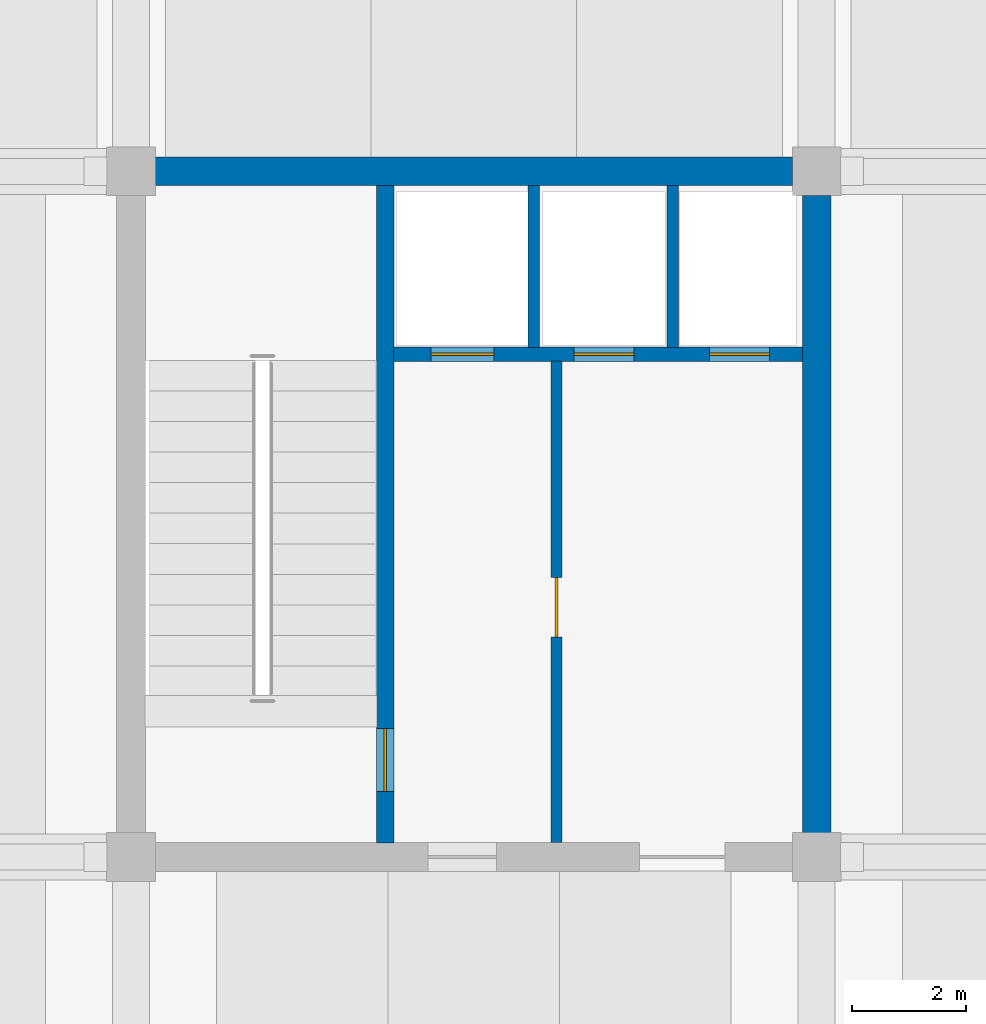
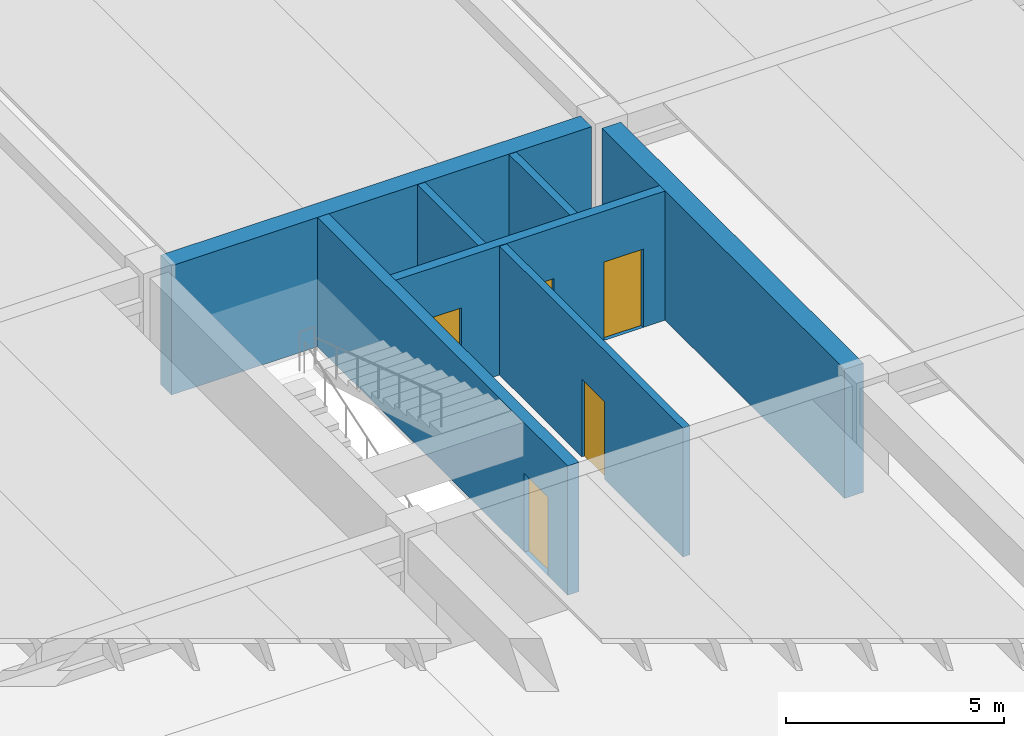
# One storey, part 8 of 14: 7 walls, 5 doors, 5 openings.
"""IFC4 building model written with IfcOpenShell, lengths in metres."""

from ifc_helpers import new_model, si_unit, direction, frame, frame_2d, origin, place, context, subcontext, project, spatial, rectangle, extrude, material, layer, layer_set, type_object, element, fill, save


model = new_model("IFC4")

# Units and contexts
model_context = context("Model", 3, precision=1e-05, world=origin(), true_north=direction((0.0, 1.0)))
body_context = subcontext(model_context, "Body", "Model", "MODEL_VIEW")
ifc_project = project(units=[si_unit("LENGTHUNIT", "METRE"), si_unit("AREAUNIT", "SQUARE_METRE"), si_unit("VOLUMEUNIT", "CUBIC_METRE"), si_unit("PLANEANGLEUNIT", "RADIAN"), si_unit("MASSUNIT", "GRAM", prefix="KILO")], contexts=[model_context])

# Site, building, storey
site_placement = place(None, origin())
site = spatial("IfcSite", under=ifc_project, at=site_placement, CompositionType="ELEMENT")
building_placement = place(site_placement, origin())
building = spatial("IfcBuilding", under=site, at=building_placement, Name="Girod Span Mobility Hub", CompositionType="ELEMENT")
storey_placement = place(building_placement, frame((0.0, 0.0, 24.800048828125)))
storey = spatial("IfcBuildingStorey", under=building, at=storey_placement, Name="L06", CompositionType="ELEMENT", Elevation=24.800048828125)

# Walls
ifc_material_1 = material(Name="Concrete C40/50", Category="concrete")
ifc_layer_1 = layer(ifc_material_1, 0.5)
ifc_layer_set_1 = layer_set([ifc_layer_1], Name="Concrete C40/50")
wall_type_1 = type_object("IfcWallType", Name="W-CW-500", PredefinedType="SHEAR", material=ifc_layer_set_1)
for number, where, z_axis, x_axis, name in (
    (1, (108.422119140625, 69.0, 0.0), (0.0, 0.0, 1.0), (1.0, 0.0, 0.0), "Core C2 Shear Wall N L06"),
    (2, (120.0, 57.422119140625, 0.0), (0.0, 0.0, 1.0), (0.0, 1.0, 0.0), "Core C2 Shear Wall E L06"),
):
    element("IfcWall", number, at=place(storey_placement, frame(where, z_axis=z_axis, x_axis=x_axis)), inside=storey, type_object=wall_type_1, Name=name, PredefinedType="SHEAR", context=body_context, shape_type="SweptSolid", body=[
        extrude(rectangle(XDim=11.15576171875, YDim=0.5, at=frame_2d((5.577880859375, 0.0))), origin(), (0.0, 0.0, 1.0), 3.6279296875),
    ])

# Wall, opening, door
ifc_material_2 = material(Name="Concrete C40/50", Category="concrete")
ifc_layer_2 = layer(ifc_material_2, 0.18994140625)
ifc_layer_set_2 = layer_set([ifc_layer_2], Name="Concrete C40/50")
wall_type_2 = type_object("IfcWallType", Name="W-FL-190", PredefinedType="SOLIDWALL", material=ifc_layer_set_2)
wall_1_placement = place(storey_placement, frame((115.449951171875, 57.25, 0.0), z_axis=(0.0, 0.0, 1.0), x_axis=(0.0, 1.0, 0.0)))
wall_1 = element("IfcWall", 3, at=wall_1_placement, inside=storey, type_object=wall_type_2, Name="Core C2 Firefighting Lobby Wall L06", PredefinedType="SOLIDWALL", context=body_context, shape_type="SweptSolid", body=[
    extrude(rectangle(XDim=8.429931640625, YDim=0.18994140625, at=frame_2d((4.21484375, 0.0))), origin(), (0.0, 0.0, 1.0), 3.617919921875),
])
opening_1_placement = place(wall_1_placement, frame((3.60009765625, 0.0, 0.0)))
opening_1 = element("IfcOpeningElement", 4, at=opening_1_placement, cuts=wall_1, Name="Opening D-FLX-C2-L06", PredefinedType="OPENING", context=body_context, shape_type="SweptSolid", body=[
    extrude(rectangle(XDim=1.0400390625, YDim=2.179931640625, at=frame_2d((0.52001953125, 1.08984375))), frame((0.0, 0.10986328125, 0.0), z_axis=(0.0, -1.0, 0.0), x_axis=(1.0, 0.0, 0.0)), (0.0, 0.0, 1.0), 0.219970703125),
])
ifc_material_3 = material(Name="Fire-Rated Insulated Hollow Metal Steel", Category="steel")
door_type_1 = type_object("IfcDoorType", Name="DT-FD-02", OperationType="NOTDEFINED", PredefinedType="DOOR", material=ifc_material_3)
door_1_placement = place(opening_1_placement, origin())
door_1 = element("IfcDoor", 5, at=door_1_placement, inside=storey, type_object=door_type_1, Name="Firefighting Lobby Interconnect Door C2 L06", OperationType="SINGLE_SWING_RIGHT", OverallHeight=2.179931640625, OverallWidth=1.0400390625, PredefinedType="DOOR", context=body_context, shape_type="SweptSolid", body=[
    extrude(rectangle(XDim=1.0400390625, YDim=2.179931640625, at=frame_2d((0.52001953125, 1.08984375))), frame((0.0, 0.02490234375, 0.0), z_axis=(0.0, -1.0, 0.0), x_axis=(1.0, 0.0, 0.0)), (0.0, 0.0, 1.0), 0.050048828125),
])
fill(opening_1, door_1)

# Walls
ifc_material_4 = material(Name="Concrete C40/50", Category="concrete")
ifc_layer_3 = layer(ifc_material_4, 0.199951171875)
ifc_layer_set_3 = layer_set([ifc_layer_3], Name="Concrete C40/50")
wall_type_3 = type_object("IfcWallType", Name="W-SH-200", PredefinedType="SOLIDWALL", material=ifc_layer_set_3)
for number, where, z_axis, x_axis, name in (
    (6, (115.050048828125, 65.919921875, 0.0), (0.0, 0.0, 1.0), (0.0, 1.0, 0.0), "Core C2 Shaft Divider 1 L06"),
    (7, (117.47998046875, 65.919921875, 0.0), (0.0, 0.0, 1.0), (0.0, 1.0, 0.0), "Core C2 Shaft Divider 2 L06"),
):
    element("IfcWall", number, at=place(storey_placement, frame(where, z_axis=z_axis, x_axis=x_axis)), inside=storey, type_object=wall_type_3, Name=name, PredefinedType="SOLIDWALL", context=body_context, shape_type="SweptSolid", body=[
        extrude(rectangle(XDim=2.830078125, YDim=0.199951171875, at=frame_2d((1.4150390625, 0.0))), origin(), (0.0, 0.0, 1.0), 3.617919921875),
    ])

# Wall, openings, doors
ifc_material_5 = material(Name="Concrete C40/50", Category="concrete")
ifc_layer_4 = layer(ifc_material_5, 0.25)
ifc_layer_set_4 = layer_set([ifc_layer_4], Name="Concrete C40/50")
wall_type_4 = type_object("IfcWallType", Name="W-SH-250", PredefinedType="SOLIDWALL", material=ifc_layer_set_4)
wall_2_placement = place(storey_placement, frame((112.596923828125, 65.800048828125, 0.0), z_axis=(0.0, 0.0, 1.0), x_axis=(1.0, 0.0, 0.0)))
wall_2 = element("IfcWall", 8, at=wall_2_placement, inside=storey, type_object=wall_type_4, Name="Core C2 Hoistway Front Wall L06", PredefinedType="SOLIDWALL", context=body_context, shape_type="SweptSolid", body=[
    extrude(rectangle(XDim=7.156005859375, YDim=0.25, at=frame_2d((3.578125, 0.0))), origin(), (0.0, 0.0, 1.0), 3.6279296875),
])
opening_2_placement = place(wall_2_placement, frame((0.653076171875, 0.0, 0.0)))
opening_2 = element("IfcOpeningElement", 9, at=opening_2_placement, cuts=wall_2, Name="Opening LD-FL-2-L06", PredefinedType="OPENING", context=body_context, shape_type="SweptSolid", body=[
    extrude(rectangle(XDim=1.10009765625, YDim=2.239990234375, at=frame_2d((0.550048828125, 1.1201171875))), frame((0.0, 0.139892578125, 0.0), z_axis=(0.0, -1.0, 0.0), x_axis=(1.0, 0.0, 0.0)), (0.0, 0.0, 1.0), 0.280029296875),
])
opening_3_placement = place(wall_2_placement, frame((3.153076171875, 0.0, 0.0)))
opening_3 = element("IfcOpeningElement", 10, at=opening_3_placement, cuts=wall_2, Name="Opening LD-LP-3-L06", PredefinedType="OPENING", context=body_context, shape_type="SweptSolid", body=[
    extrude(rectangle(XDim=1.050048828125, YDim=2.199951171875, at=frame_2d((0.52490234375, 1.10009765625))), frame((0.0, 0.139892578125, 0.0), z_axis=(0.0, -1.0, 0.0), x_axis=(1.0, 0.0, 0.0)), (0.0, 0.0, 1.0), 0.280029296875),
])
opening_4_placement = place(wall_2_placement, frame((5.528076171875, 0.0, 0.0)))
opening_4 = element("IfcOpeningElement", 11, at=opening_4_placement, cuts=wall_2, Name="Opening LD-LP-4-L06", PredefinedType="OPENING", context=body_context, shape_type="SweptSolid", body=[
    extrude(rectangle(XDim=1.050048828125, YDim=2.199951171875, at=frame_2d((0.52490234375, 1.10009765625))), frame((0.0, 0.139892578125, 0.0), z_axis=(0.0, -1.0, 0.0), x_axis=(1.0, 0.0, 0.0)), (0.0, 0.0, 1.0), 0.280029296875),
])
ifc_material_6 = material(Name="Brushed Stainless Steel Grade 304", Category="steel")
door_type_2 = type_object("IfcDoorType", Name="LD-FL-110", OperationType="SLIDING_TO_LEFT", PredefinedType="USERDEFINED", material=ifc_material_6)
door_2_placement = place(opening_2_placement, origin())
door_2 = element("IfcDoor", 12, at=door_2_placement, inside=storey, type_object=door_type_2, Name="Lift FL-2 Sliding Landing Door L06", ObjectType="LANDING DOOR", OperationType="SLIDING_TO_LEFT", OverallHeight=2.239990234375, OverallWidth=1.10009765625, PredefinedType="USERDEFINED", context=body_context, shape_type="SweptSolid", body=[
    extrude(rectangle(XDim=1.10009765625, YDim=2.239990234375, at=frame_2d((0.550048828125, 1.1201171875))), frame((0.0, 0.02490234375, 0.0), z_axis=(0.0, -1.0, 0.0), x_axis=(1.0, 0.0, 0.0)), (0.0, 0.0, 1.0), 0.050048828125),
])
fill(opening_2, door_2)
ifc_material_7 = material(Name="Brushed Stainless Steel Grade 304", Category="steel")
door_type_3 = type_object("IfcDoorType", Name="LD-LP-105", OperationType="SLIDING_TO_LEFT", PredefinedType="USERDEFINED", material=ifc_material_7)
door_3_placement = place(opening_3_placement, origin())
door_3 = element("IfcDoor", 13, at=door_3_placement, inside=storey, type_object=door_type_3, Name="Lift LP-3 Sliding Landing Door L06", ObjectType="LANDING DOOR", OperationType="SLIDING_TO_LEFT", OverallHeight=2.199951171875, OverallWidth=1.050048828125, PredefinedType="USERDEFINED", context=body_context, shape_type="SweptSolid", body=[
    extrude(rectangle(XDim=1.050048828125, YDim=2.199951171875, at=frame_2d((0.52490234375, 1.10009765625))), frame((0.0, 0.02490234375, 0.0), z_axis=(0.0, -1.0, 0.0), x_axis=(1.0, 0.0, 0.0)), (0.0, 0.0, 1.0), 0.050048828125),
])
fill(opening_3, door_3)
door_4_placement = place(opening_4_placement, origin())
door_4 = element("IfcDoor", 14, at=door_4_placement, inside=storey, type_object=door_type_3, Name="Lift LP-4 Sliding Landing Door L06", ObjectType="LANDING DOOR", OperationType="SLIDING_TO_LEFT", OverallHeight=2.199951171875, OverallWidth=1.050048828125, PredefinedType="USERDEFINED", context=body_context, shape_type="SweptSolid", body=[
    extrude(rectangle(XDim=1.050048828125, YDim=2.199951171875, at=frame_2d((0.52490234375, 1.10009765625))), frame((0.0, 0.02490234375, 0.0), z_axis=(0.0, -1.0, 0.0), x_axis=(1.0, 0.0, 0.0)), (0.0, 0.0, 1.0), 0.050048828125),
])
fill(opening_4, door_4)

# Wall, opening, door
ifc_material_8 = material(Name="Concrete C40/50", Category="concrete")
ifc_layer_5 = layer(ifc_material_8, 0.300048828125)
ifc_layer_set_5 = layer_set([ifc_layer_5], Name="Concrete C40/50")
wall_type_5 = type_object("IfcWallType", Name="W-SH-300", PredefinedType="SHEAR", material=ifc_layer_set_5)
wall_3_placement = place(storey_placement, frame((112.449951171875, 57.2470703125, 0.0), z_axis=(0.0, 0.0, 1.0), x_axis=(0.0, 1.0, 0.0)))
wall_3 = element("IfcWall", 15, at=wall_3_placement, inside=storey, type_object=wall_type_5, Name="Core C2 Stairwell Spine Wall L06", PredefinedType="SHEAR", context=body_context, shape_type="SweptSolid", body=[
    extrude(rectangle(XDim=11.505859375, YDim=0.300048828125, at=frame_2d((5.7529296875, 0.0))), origin(), (0.0, 0.0, 1.0), 3.6279296875),
])
opening_5_placement = place(wall_3_placement, frame((0.89990234375, 0.0, 0.0)))
opening_5 = element("IfcOpeningElement", 16, at=opening_5_placement, cuts=wall_3, Name="Opening D-ST-2-L06", PredefinedType="OPENING", context=body_context, shape_type="SweptSolid", body=[
    extrude(rectangle(XDim=1.10009765625, YDim=2.199951171875, at=frame_2d((0.550048828125, 1.10009765625))), frame((0.0, 0.1650390625, 0.0), z_axis=(0.0, -1.0, 0.0), x_axis=(1.0, 0.0, 0.0)), (0.0, 0.0, 1.0), 0.330078125),
])
ifc_material_9 = material(Name="Fire-Rated Insulated Hollow Metal Steel", Category="steel")
door_type_4 = type_object("IfcDoorType", Name="DT-FD-01", OperationType="NOTDEFINED", PredefinedType="DOOR", material=ifc_material_9)
door_5_placement = place(opening_5_placement, origin())
door_5 = element("IfcDoor", 17, at=door_5_placement, inside=storey, type_object=door_type_4, Name="Stair ST-2 Fire Door L06", OperationType="SINGLE_SWING_LEFT", OverallHeight=2.199951171875, OverallWidth=1.10009765625, PredefinedType="DOOR", context=body_context, shape_type="SweptSolid", body=[
    extrude(rectangle(XDim=1.10009765625, YDim=2.199951171875, at=frame_2d((0.550048828125, 1.10009765625))), frame((0.0, 0.02490234375, 0.0), z_axis=(0.0, -1.0, 0.0), x_axis=(1.0, 0.0, 0.0)), (0.0, 0.0, 1.0), 0.050048828125),
])
fill(opening_5, door_5)

save(model, "model.ifc")
